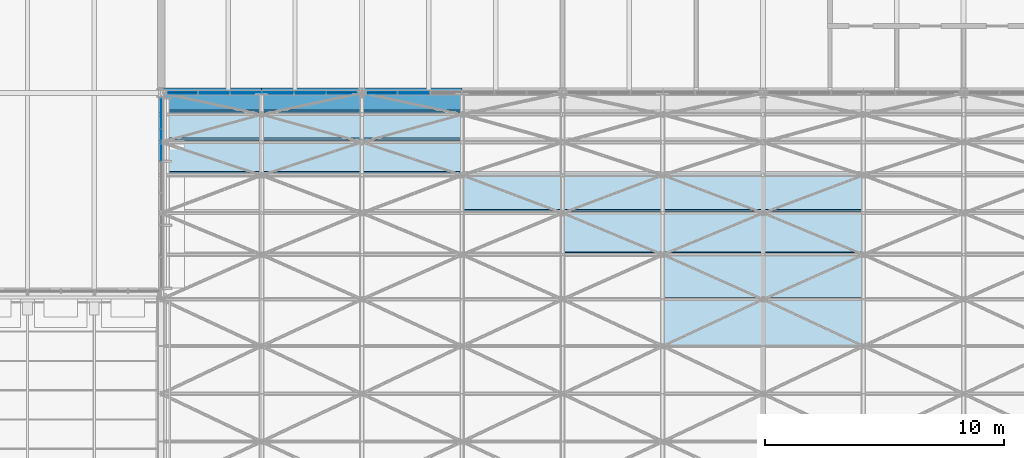
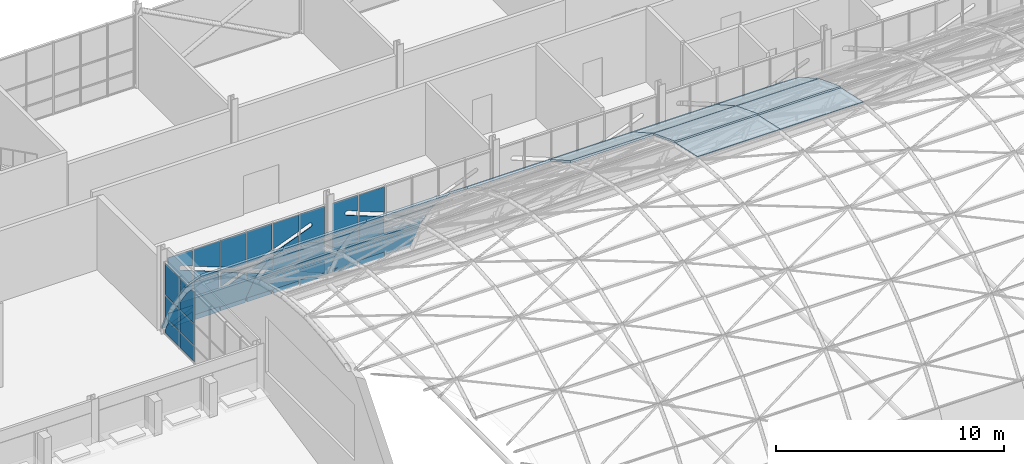
# One storey, part 73 of 121: 59 plates, 3 elements without a shape of their own.
"""IFC4 building model written with IfcOpenShell, lengths in metres."""

from ifc_helpers import new_model, si_unit, direction, frame, origin, place, context, subcontext, project, spatial, polyline, outline, extrude, material, layer, layer_set, type_object, element, aggregate, save


model = new_model("IFC4")

# Units and contexts
model_context = context("Model", 3, precision=1e-05, world=origin(), true_north=direction((0.0, 1.0)))
body_context = subcontext(model_context, "Body", "Model", "MODEL_VIEW")
ifc_project = project(units=[si_unit("LENGTHUNIT", "METRE"), si_unit("AREAUNIT", "SQUARE_METRE"), si_unit("VOLUMEUNIT", "CUBIC_METRE"), si_unit("PLANEANGLEUNIT", "RADIAN"), si_unit("MASSUNIT", "GRAM", prefix="KILO")], contexts=[model_context])

# Site, building, storey
site_placement = place(None, origin())
site = spatial("IfcSite", under=ifc_project, at=site_placement, CompositionType="ELEMENT")
building_placement = place(site_placement, origin())
building = spatial("IfcBuilding", under=site, at=building_placement, Name="Ardhachandra Cancer Care Centre", CompositionType="ELEMENT")
storey_placement = place(building_placement, frame((0.0, 0.0, 9.0)))
storey = spatial("IfcBuildingStorey", under=building, at=storey_placement, Name="L02", CompositionType="ELEMENT", Elevation=9.0)

# Curtain wall, plates
ifc_material_1 = material(Name="Aluminium extrusion", Category="aluminium")
ifc_layer_1 = layer(ifc_material_1, 0.14990234375)
ifc_layer_set_1 = layer_set([ifc_layer_1], Name="Aluminium extrusion")
curtain_wall_type = type_object("IfcCurtainWallType", Name="Curtain wall run", PredefinedType="NOTDEFINED", material=ifc_layer_set_1)
curtain_wall_1_placement = place(storey_placement, origin())
curtain_wall_1 = element("IfcCurtainWall", 1, at=curtain_wall_1_placement, inside=storey, type_object=curtain_wall_type, Name="Curtain wall L02 e/0044400_0071400", PredefinedType="NOTDEFINED")
ifc_material_2 = material(Name="Low-iron double-glazed unit")
ifc_layer_2 = layer(ifc_material_2, 0.028076171875)
ifc_layer_set_2 = layer_set([ifc_layer_2], Name="Low-iron double-glazed unit")
plate_type_1 = type_object("IfcPlateType", Name="Curtain wall glazing 28", PredefinedType="CURTAIN_PANEL", material=ifc_layer_set_2)
plate_1_placement = place(storey_placement, frame((44.39990234375, 76.96875, 0.06005859375), z_axis=(-1.0, 0.0, 0.0), x_axis=(0.0, 0.0, 1.0)))
plate_1 = element("IfcPlate", 2, at=plate_1_placement, type_object=plate_type_1, Name="CW panel 5.1", PredefinedType="CURTAIN_PANEL", context=body_context, shape_type="SweptSolid", body=[
    extrude(outline(polyline([(0.0, 0.0), (0.81005859375, 0.0), (0.81005859375, 1.278564453125), (0.0, 1.278564453125), (0.0, 0.0)])), origin(), (0.0, 0.0, 1.0), 0.028076171875),
])
plate_2_placement = place(storey_placement, frame((44.39990234375, 76.96875, 0.929931640625), z_axis=(-1.0, 0.0, 0.0), x_axis=(0.0, 0.0, 1.0)))
plate_2 = element("IfcPlate", 3, at=plate_2_placement, type_object=plate_type_1, Name="CW panel 5.2", PredefinedType="CURTAIN_PANEL", context=body_context, shape_type="SweptSolid", body=[
    extrude(outline(polyline([(0.0, 0.0), (1.14013671875, 0.0), (1.14013671875, 1.278564453125), (0.0, 1.278564453125), (0.0, 0.0)])), origin(), (0.0, 0.0, 1.0), 0.028076171875),
])
plate_3_placement = place(storey_placement, frame((44.39990234375, 78.247314453125, 2.1298828125), z_axis=(-1.0, 0.0, 0.0), x_axis=(0.0, -1.0, 0.0)))
plate_3 = element("IfcPlate", 4, at=plate_3_placement, type_object=plate_type_1, Name="CW panel 5.3", PredefinedType="CURTAIN_PANEL", context=body_context, shape_type="SweptSolid", body=[
    extrude(outline(polyline([(0.0, 0.0), (1.278564453125, 0.0), (1.278564453125, 1.66015625), (1.018798828125, 1.66015625), (0.60009765625, 1.221435546875), (0.10205078125, 0.517822265625), (0.085205078125, 0.501953125), (0.055419921875, 0.485107421875), (0.033203125, 0.47900390625), (0.0, 0.478271484375), (0.0, 0.0)])), origin(), (0.0, 0.0, 1.0), 0.028076171875),
])
plate_4_placement = place(storey_placement, frame((44.39990234375, 78.247314453125, 3.7900390625), z_axis=(-1.0, 0.0, 0.0), x_axis=(0.0, 0.0, -1.0)))
plate_4 = element("IfcPlate", 5, at=plate_4_placement, type_object=plate_type_1, Name="CW panel 5.3", PredefinedType="CURTAIN_PANEL", context=body_context, shape_type="SweptSolid", body=[
    extrude(outline(polyline([(0.0, 0.0), (0.881591796875, 0.0), (0.291748046875, 0.4169921875), (0.0, 0.69482421875), (0.0, 0.0)])), frame((0.0, 0.0, -0.028076171875)), (0.0, 0.0, 1.0), 0.028076171875),
])
plate_5_placement = place(storey_placement, frame((44.39990234375, 79.555908203125, 0.06005859375), z_axis=(-1.0, 0.0, 0.0), x_axis=(0.0, -1.0, 0.0)))
plate_5 = element("IfcPlate", 6, at=plate_5_placement, type_object=plate_type_1, Name="CW panel 6.1", PredefinedType="CURTAIN_PANEL", context=body_context, shape_type="SweptSolid", body=[
    extrude(outline(polyline([(0.0, 0.0), (1.24853515625, 0.0), (1.24853515625, 0.81005859375), (0.19873046875, 0.81005859375), (0.216064453125, 0.798828125), (0.232666015625, 0.782958984375), (0.2509765625, 0.75390625), (0.260009765625, 0.720703125), (0.260498046875, 0.69775390625), (0.256591796875, 0.675048828125), (0.248291015625, 0.65380859375), (0.0, 0.162841796875), (0.0, 0.0)])), origin(), (0.0, 0.0, 1.0), 0.028076171875),
])
plate_6_placement = place(storey_placement, frame((44.39990234375, 78.307373046875, 0.929931640625), z_axis=(-1.0, 0.0, 0.0), x_axis=(0.0, 0.0, 1.0)))
plate_6 = element("IfcPlate", 7, at=plate_6_placement, type_object=plate_type_1, Name="CW panel 6.2", PredefinedType="CURTAIN_PANEL", context=body_context, shape_type="SweptSolid", body=[
    extrude(outline(polyline([(0.0, 0.0), (1.14013671875, 0.0), (1.14013671875, 1.24853515625), (0.0, 1.24853515625), (0.0, 0.0)])), origin(), (0.0, 0.0, 1.0), 0.028076171875),
])
plate_7_placement = place(storey_placement, frame((44.39990234375, 78.307373046875, 3.7900390625), z_axis=(-1.0, 0.0, 0.0), x_axis=(0.0, 1.0, 0.0)))
plate_7 = element("IfcPlate", 8, at=plate_7_placement, type_object=plate_type_1, Name="CW panel 6.3", PredefinedType="CURTAIN_PANEL", context=body_context, shape_type="SweptSolid", body=[
    extrude(outline(polyline([(0.0, 0.0), (1.24853515625, 0.0), (1.24853515625, 1.66015625), (0.0, 1.66015625), (0.0, 1.15673828125), (0.01904296875, 1.137451171875), (0.03125, 1.1181640625), (0.03955078125, 1.0966796875), (0.043701171875, 1.0625), (0.040771484375, 1.039794921875), (0.033447265625, 1.01806640625), (0.0, 0.966552734375), (0.0, 0.0)])), origin(), (0.0, 0.0, 1.0), 0.028076171875),
])
aggregate(curtain_wall_1, [plate_1, plate_2, plate_3, plate_4, plate_5, plate_6, plate_7])

curtain_wall_2_placement = place(storey_placement, origin())
curtain_wall_2 = element("IfcCurtainWall", 9, at=curtain_wall_2_placement, inside=storey, type_object=curtain_wall_type, Name="Curtain wall L02 s/0044400_0079800", PredefinedType="NOTDEFINED")
plate_8_placement = place(storey_placement, frame((45.907958984375, 79.800048828125, 0.06005859375), z_axis=(0.0, 1.0, 0.0), x_axis=(-1.0, 0.0, 0.0)))
plate_8 = element("IfcPlate", 10, at=plate_8_placement, type_object=plate_type_1, Name="CW panel 1.1", PredefinedType="CURTAIN_PANEL", context=body_context, shape_type="SweptSolid", body=[
    extrude(outline(polyline([(0.0, 0.0), (1.068115234375, 0.0), (0.0, 0.454833984375), (0.0, 0.0)])), origin(), (0.0, 0.0, 1.0), 0.028076171875),
])
plate_9_placement = place(storey_placement, frame((44.655517578125, 79.800048828125, 0.8701171875), z_axis=(0.0, 1.0, 0.0), x_axis=(1.0, 0.0, 0.0)))
plate_9 = element("IfcPlate", 11, at=plate_9_placement, type_object=plate_type_1, Name="CW panel 1.1", PredefinedType="CURTAIN_PANEL", context=body_context, shape_type="SweptSolid", body=[
    extrude(outline(polyline([(0.0, 0.0), (1.25244140625, 0.0), (1.25244140625, 0.1005859375), (0.0, 0.634033203125), (0.0, 0.0)])), frame((0.0, 0.0, -0.028076171875)), (0.0, 0.0, 1.0), 0.028076171875),
])
plate_10_placement = place(storey_placement, frame((44.655517578125, 79.800048828125, 0.929931640625), z_axis=(0.0, 1.0, 0.0), x_axis=(0.0, 0.0, 1.0)))
plate_10 = element("IfcPlate", 12, at=plate_10_placement, type_object=plate_type_1, Name="CW panel 1.2", PredefinedType="CURTAIN_PANEL", context=body_context, shape_type="SweptSolid", body=[
    extrude(outline(polyline([(0.0, 0.0), (1.14013671875, 0.0), (1.14013671875, 1.25244140625), (0.0, 1.25244140625), (0.0, 0.0)])), origin(), (0.0, 0.0, 1.0), 0.028076171875),
])
plate_11_placement = place(storey_placement, frame((45.907958984375, 79.800048828125, 2.1298828125), z_axis=(0.0, 1.0, 0.0), x_axis=(-1.0, 0.0, 0.0)))
plate_11 = element("IfcPlate", 13, at=plate_11_placement, type_object=plate_type_1, Name="CW panel 1.3", PredefinedType="CURTAIN_PANEL", context=body_context, shape_type="SweptSolid", body=[
    extrude(outline(polyline([(0.0, 0.0), (1.25244140625, 0.0), (1.25244140625, 1.696044921875), (0.0, 1.696044921875), (0.0, 0.833984375), (0.514404296875, 1.03466796875), (0.53662109375, 1.040771484375), (0.559326171875, 1.04248046875), (0.582275390625, 1.039794921875), (0.6142578125, 1.027587890625), (0.633056640625, 1.014404296875), (0.65576171875, 0.988525390625), (0.666015625, 0.968017578125), (0.67236328125, 0.94580078125), (0.674072265625, 0.923095703125), (0.668212890625, 0.88916015625), (0.6591796875, 0.8681640625), (0.637939453125, 0.8408203125), (0.610107421875, 0.821044921875), (0.0, 0.58251953125), (0.0, 0.0)])), origin(), (0.0, 0.0, 1.0), 0.028076171875),
])
plate_12_placement = place(storey_placement, frame((47.250244140625, 79.800048828125, 0.8701171875), z_axis=(0.0, 1.0, 0.0), x_axis=(0.0, 0.0, -1.0)))
plate_12 = element("IfcPlate", 14, at=plate_12_placement, type_object=plate_type_1, Name="CW panel 2.1", PredefinedType="CURTAIN_PANEL", context=body_context, shape_type="SweptSolid", body=[
    extrude(outline(polyline([(0.0, 0.0), (0.81005859375, 0.0), (0.81005859375, 1.2822265625), (0.32958984375, 1.2822265625), (0.0, 0.5087890625), (0.0, 0.0)])), frame((0.0, 0.0, -0.028076171875)), (0.0, 0.0, 1.0), 0.028076171875),
])
plate_13_placement = place(storey_placement, frame((45.968017578125, 79.800048828125, 0.929931640625), z_axis=(0.0, 1.0, 0.0), x_axis=(0.0, 0.0, 1.0)))
plate_13 = element("IfcPlate", 15, at=plate_13_placement, type_object=plate_type_1, Name="CW panel 2.2", PredefinedType="CURTAIN_PANEL", context=body_context, shape_type="SweptSolid", body=[
    extrude(outline(polyline([(0.0, 0.0), (1.14013671875, 0.0), (1.14013671875, 1.2822265625), (0.411376953125, 1.2822265625), (0.0, 0.31640625), (0.0, 0.0)])), origin(), (0.0, 0.0, 1.0), 0.028076171875),
])
plate_14_placement = place(storey_placement, frame((47.250244140625, 79.800048828125, 2.1298828125), z_axis=(0.0, 1.0, 0.0), x_axis=(-1.0, 0.0, 0.0)))
plate_14 = element("IfcPlate", 16, at=plate_14_placement, type_object=plate_type_1, Name="CW panel 2.3", PredefinedType="CURTAIN_PANEL", context=body_context, shape_type="SweptSolid", body=[
    extrude(outline(polyline([(0.0, 0.0), (1.2822265625, 0.0), (1.2822265625, 0.559326171875), (0.0, 0.059326171875), (0.0, 0.0)])), origin(), (0.0, 0.0, 1.0), 0.028076171875),
])
plate_15_placement = place(storey_placement, frame((45.968017578125, 79.800048828125, 3.825927734375), z_axis=(0.0, 1.0, 0.0), x_axis=(1.0, 0.0, 0.0)))
plate_15 = element("IfcPlate", 17, at=plate_15_placement, type_object=plate_type_1, Name="CW panel 2.3", PredefinedType="CURTAIN_PANEL", context=body_context, shape_type="SweptSolid", body=[
    extrude(outline(polyline([(0.0, 0.0), (1.2822265625, 0.0), (1.2822265625, 1.38525390625), (0.0, 0.88525390625), (0.0, 0.0)])), frame((0.0, 0.0, -0.028076171875)), (0.0, 0.0, 1.0), 0.028076171875),
])
plate_16_placement = place(storey_placement, frame((47.310302734375, 79.800048828125, 0.06005859375), z_axis=(0.0, 1.0, 0.0), x_axis=(0.0, 0.0, 1.0)))
plate_16 = element("IfcPlate", 18, at=plate_16_placement, type_object=plate_type_1, Name="CW panel 3.1", PredefinedType="CURTAIN_PANEL", context=body_context, shape_type="SweptSolid", body=[
    extrude(outline(polyline([(0.0, 0.0), (0.81005859375, 0.0), (0.81005859375, 1.282470703125), (0.0, 1.282470703125), (0.0, 0.0)])), origin(), (0.0, 0.0, 1.0), 0.028076171875),
])
plate_17_placement = place(storey_placement, frame((48.5927734375, 79.800048828125, 0.929931640625), z_axis=(0.0, 1.0, 0.0), x_axis=(-1.0, 0.0, 0.0)))
plate_17 = element("IfcPlate", 19, at=plate_17_placement, type_object=plate_type_1, Name="CW panel 3.2", PredefinedType="CURTAIN_PANEL", context=body_context, shape_type="SweptSolid", body=[
    extrude(outline(polyline([(0.0, 0.0), (1.282470703125, 0.0), (1.282470703125, 0.182373046875), (0.0, 0.728515625), (0.0, 0.0)])), origin(), (0.0, 0.0, 1.0), 0.028076171875),
])
plate_18_placement = place(storey_placement, frame((47.310302734375, 79.800048828125, 2.070068359375), z_axis=(0.0, 1.0, 0.0), x_axis=(1.0, 0.0, 0.0)))
plate_18 = element("IfcPlate", 20, at=plate_18_placement, type_object=plate_type_1, Name="CW panel 3.2", PredefinedType="CURTAIN_PANEL", context=body_context, shape_type="SweptSolid", body=[
    extrude(outline(polyline([(0.0, 0.0), (0.24609375, 0.0), (0.9794921875, 0.285888671875), (0.0, 0.703125), (0.0, 0.0)])), frame((0.0, 0.0, -0.028076171875)), (0.0, 0.0, 1.0), 0.028076171875),
])
plate_19_placement = place(storey_placement, frame((47.310302734375, 79.800048828125, 3.825927734375), z_axis=(0.0, 1.0, 0.0), x_axis=(1.0, 0.0, 0.0)))
plate_19 = element("IfcPlate", 21, at=plate_19_placement, type_object=plate_type_1, Name="CW panel 3.3", PredefinedType="CURTAIN_PANEL", context=body_context, shape_type="SweptSolid", body=[
    extrude(outline(polyline([(0.0, 0.0), (1.282470703125, 0.0), (1.282470703125, 1.696044921875), (0.7373046875, 1.696044921875), (0.0, 1.40869140625), (0.0, 0.0)])), origin(), (0.0, 0.0, 1.0), 0.028076171875),
])
plate_20_placement = place(storey_placement, frame((48.65283203125, 79.800048828125, 0.06005859375), z_axis=(0.0, 1.0, 0.0), x_axis=(0.0, 0.0, 1.0)))
plate_20 = element("IfcPlate", 22, at=plate_20_placement, type_object=plate_type_1, Name="CW panel 4.1", PredefinedType="CURTAIN_PANEL", context=body_context, shape_type="SweptSolid", body=[
    extrude(outline(polyline([(0.0, 0.0), (0.81005859375, 0.0), (0.81005859375, 1.2822265625), (0.0, 1.2822265625), (0.0, 0.0)])), origin(), (0.0, 0.0, 1.0), 0.028076171875),
])
plate_21_placement = place(storey_placement, frame((49.93505859375, 79.800048828125, 0.929931640625), z_axis=(0.0, 1.0, 0.0), x_axis=(-1.0, 0.0, 0.0)))
plate_21 = element("IfcPlate", 23, at=plate_21_placement, type_object=plate_type_1, Name="CW panel 4.2", PredefinedType="CURTAIN_PANEL", context=body_context, shape_type="SweptSolid", body=[
    extrude(outline(polyline([(0.0, 0.0), (1.2822265625, 0.0), (1.2822265625, 0.709228515625), (0.0, 0.1630859375), (0.0, 0.0)])), origin(), (0.0, 0.0, 1.0), 0.028076171875),
])
plate_22_placement = place(storey_placement, frame((49.93505859375, 79.800048828125, 2.070068359375), z_axis=(0.0, 1.0, 0.0), x_axis=(0.0, 0.0, -1.0)))
plate_22 = element("IfcPlate", 24, at=plate_22_placement, type_object=plate_type_1, Name="CW panel 4.2", PredefinedType="CURTAIN_PANEL", context=body_context, shape_type="SweptSolid", body=[
    extrude(outline(polyline([(0.0, 0.0), (0.722412109375, 0.0), (0.285888671875, 1.02490234375), (0.0, 0.291259765625), (0.0, 0.0)])), frame((0.0, 0.0, -0.028076171875)), (0.0, 0.0, 1.0), 0.028076171875),
])
plate_23_placement = place(storey_placement, frame((48.65283203125, 79.800048828125, 2.1298828125), z_axis=(0.0, 1.0, 0.0), x_axis=(0.0, 0.0, 1.0)))
plate_23 = element("IfcPlate", 25, at=plate_23_placement, type_object=plate_type_1, Name="CW panel 4.3", PredefinedType="CURTAIN_PANEL", context=body_context, shape_type="SweptSolid", body=[
    extrude(outline(polyline([(0.0, 0.0), (1.696044921875, 0.0), (1.696044921875, 1.2822265625), (0.30517578125, 1.2822265625), (0.0, 0.499755859375), (0.0, 0.0)])), origin(), (0.0, 0.0, 1.0), 0.028076171875),
])
plate_24_placement = place(storey_placement, frame((51.277587890625, 79.800048828125, 0.06005859375), z_axis=(0.0, 1.0, 0.0), x_axis=(-1.0, 0.0, 0.0)))
plate_24 = element("IfcPlate", 26, at=plate_24_placement, type_object=plate_type_1, Name="CW panel 5.1", PredefinedType="CURTAIN_PANEL", context=body_context, shape_type="SweptSolid", body=[
    extrude(outline(polyline([(0.0, 0.0), (1.282470703125, 0.0), (1.282470703125, 0.81005859375), (0.819091796875, 0.81005859375), (0.0, 0.4609375), (0.0, 0.0)])), origin(), (0.0, 0.0, 1.0), 0.028076171875),
])
plate_25_placement = place(storey_placement, frame((49.9951171875, 79.800048828125, 2.070068359375), z_axis=(0.0, 1.0, 0.0), x_axis=(1.0, 0.0, 0.0)))
plate_25 = element("IfcPlate", 27, at=plate_25_placement, type_object=plate_type_1, Name="CW panel 5.2", PredefinedType="CURTAIN_PANEL", context=body_context, shape_type="SweptSolid", body=[
    extrude(outline(polyline([(0.0, 0.0), (1.282470703125, 0.0), (1.282470703125, 1.14013671875), (0.92041015625, 1.14013671875), (0.0, 0.748046875), (0.0, 0.0)])), origin(), (0.0, 0.0, 1.0), 0.028076171875),
])
plate_26_placement = place(storey_placement, frame((51.277587890625, 79.800048828125, 2.1298828125), z_axis=(0.0, 1.0, 0.0), x_axis=(-1.0, 0.0, 0.0)))
plate_26 = element("IfcPlate", 28, at=plate_26_placement, type_object=plate_type_1, Name="CW panel 5.3", PredefinedType="CURTAIN_PANEL", context=body_context, shape_type="SweptSolid", body=[
    extrude(outline(polyline([(0.0, 0.0), (1.282470703125, 0.0), (1.282470703125, 0.0771484375), (0.0, 0.576904296875), (0.0, 0.0)])), origin(), (0.0, 0.0, 1.0), 0.028076171875),
])
plate_27_placement = place(storey_placement, frame((49.9951171875, 79.800048828125, 3.825927734375), z_axis=(0.0, 1.0, 0.0), x_axis=(1.0, 0.0, 0.0)))
plate_27 = element("IfcPlate", 29, at=plate_27_placement, type_object=plate_type_1, Name="CW panel 5.3", PredefinedType="CURTAIN_PANEL", context=body_context, shape_type="SweptSolid", body=[
    extrude(outline(polyline([(0.0, 0.0), (1.282470703125, 0.0), (1.282470703125, 0.86767578125), (0.0, 1.367431640625), (0.0, 0.0)])), frame((0.0, 0.0, -0.028076171875)), (0.0, 0.0, 1.0), 0.028076171875),
])
plate_28_placement = place(storey_placement, frame((51.337646484375, 79.800048828125, 0.8701171875), z_axis=(0.0, 1.0, 0.0), x_axis=(1.0, 0.0, 0.0)))
plate_28 = element("IfcPlate", 30, at=plate_28_placement, type_object=plate_type_1, Name="CW panel 6.1", PredefinedType="CURTAIN_PANEL", context=body_context, shape_type="SweptSolid", body=[
    extrude(outline(polyline([(0.0, 0.0), (1.25244140625, 0.0), (1.25244140625, 0.6533203125), (0.0, 0.119873046875), (0.0, 0.0)])), origin(), (0.0, 0.0, 1.0), 0.028076171875),
])
plate_29_placement = place(storey_placement, frame((51.337646484375, 79.800048828125, 0.06005859375), z_axis=(0.0, 1.0, 0.0), x_axis=(0.0, 0.0, 1.0)))
plate_29 = element("IfcPlate", 31, at=plate_29_placement, type_object=plate_type_1, Name="CW panel 6.1", PredefinedType="CURTAIN_PANEL", context=body_context, shape_type="SweptSolid", body=[
    extrude(outline(polyline([(0.0, 0.0), (0.435546875, 0.0), (0.0, 1.0224609375), (0.0, 0.0)])), frame((0.0, 0.0, -0.028076171875)), (0.0, 0.0, 1.0), 0.028076171875),
])
plate_30_placement = place(storey_placement, frame((51.337646484375, 79.800048828125, 0.929931640625), z_axis=(0.0, 1.0, 0.0), x_axis=(0.0, 0.0, 1.0)))
plate_30 = element("IfcPlate", 32, at=plate_30_placement, type_object=plate_type_1, Name="CW panel 6.2", PredefinedType="CURTAIN_PANEL", context=body_context, shape_type="SweptSolid", body=[
    extrude(outline(polyline([(0.0, 0.0), (1.14013671875, 0.0), (1.14013671875, 1.25244140625), (0.0, 1.25244140625), (0.0, 0.0)])), origin(), (0.0, 0.0, 1.0), 0.028076171875),
])
plate_31_placement = place(storey_placement, frame((51.337646484375, 79.800048828125, 3.825927734375), z_axis=(0.0, 1.0, 0.0), x_axis=(1.0, 0.0, 0.0)))
plate_31 = element("IfcPlate", 33, at=plate_31_placement, type_object=plate_type_1, Name="CW panel 6.3", PredefinedType="CURTAIN_PANEL", context=body_context, shape_type="SweptSolid", body=[
    extrude(outline(polyline([(0.0, 0.0), (1.25244140625, 0.0), (1.25244140625, 1.696044921875), (0.0, 1.696044921875), (0.0, 1.095703125), (0.564453125, 0.875), (0.583740234375, 0.86279296875), (0.607421875, 0.837646484375), (0.622802734375, 0.806884765625), (0.62841796875, 0.77294921875), (0.626708984375, 0.750244140625), (0.62060546875, 0.72802734375), (0.610107421875, 0.70751953125), (0.595947265625, 0.689453125), (0.56884765625, 0.66845703125), (0.547607421875, 0.6591796875), (0.525390625, 0.654296875), (0.50244140625, 0.65380859375), (0.46875, 0.661376953125), (0.0, 0.84423828125), (0.0, 0.0)])), origin(), (0.0, 0.0, 1.0), 0.028076171875),
])
aggregate(curtain_wall_2, [plate_8, plate_9, plate_10, plate_11, plate_12, plate_13, plate_14, plate_15, plate_16, plate_17, plate_18, plate_19, plate_20, plate_21, plate_22, plate_23, plate_24, plate_25, plate_26, plate_27, plate_28, plate_29, plate_30, plate_31])

curtain_wall_3_placement = place(storey_placement, origin())
curtain_wall_3 = element("IfcCurtainWall", 34, at=curtain_wall_3_placement, inside=storey, type_object=curtain_wall_type, Name="Curtain wall L02 s/0052800_0079800", PredefinedType="NOTDEFINED")
plate_32_placement = place(storey_placement, frame((54.27001953125, 79.800048828125, 0.06005859375), z_axis=(0.0, 1.0, 0.0), x_axis=(-1.0, 0.0, 0.0)))
plate_32 = element("IfcPlate", 35, at=plate_32_placement, type_object=plate_type_1, Name="CW panel 1.1", PredefinedType="CURTAIN_PANEL", context=body_context, shape_type="SweptSolid", body=[
    extrude(outline(polyline([(0.0, 0.0), (1.0302734375, 0.0), (0.0, 0.438720703125), (0.0, 0.0)])), origin(), (0.0, 0.0, 1.0), 0.028076171875),
])
plate_33_placement = place(storey_placement, frame((53.010009765625, 79.800048828125, 0.8701171875), z_axis=(0.0, 1.0, 0.0), x_axis=(1.0, 0.0, 0.0)))
plate_33 = element("IfcPlate", 36, at=plate_33_placement, type_object=plate_type_1, Name="CW panel 1.1", PredefinedType="CURTAIN_PANEL", context=body_context, shape_type="SweptSolid", body=[
    extrude(outline(polyline([(0.0, 0.0), (1.260009765625, 0.0), (1.260009765625, 0.11669921875), (0.0, 0.6533203125), (0.0, 0.0)])), frame((0.0, 0.0, -0.028076171875)), (0.0, 0.0, 1.0), 0.028076171875),
])
plate_34_placement = place(storey_placement, frame((53.010009765625, 79.800048828125, 0.929931640625), z_axis=(0.0, 1.0, 0.0), x_axis=(0.0, 0.0, 1.0)))
plate_34 = element("IfcPlate", 37, at=plate_34_placement, type_object=plate_type_1, Name="CW panel 1.2", PredefinedType="CURTAIN_PANEL", context=body_context, shape_type="SweptSolid", body=[
    extrude(outline(polyline([(0.0, 0.0), (1.14013671875, 0.0), (1.14013671875, 1.260009765625), (0.0, 1.260009765625), (0.0, 0.0)])), origin(), (0.0, 0.0, 1.0), 0.028076171875),
])
plate_35_placement = place(storey_placement, frame((54.27001953125, 79.800048828125, 2.1298828125), z_axis=(0.0, 1.0, 0.0), x_axis=(-1.0, 0.0, 0.0)))
plate_35 = element("IfcPlate", 38, at=plate_35_placement, type_object=plate_type_1, Name="CW panel 1.3", PredefinedType="CURTAIN_PANEL", context=body_context, shape_type="SweptSolid", body=[
    extrude(outline(polyline([(0.0, 0.0), (1.260009765625, 0.0), (1.260009765625, 1.696044921875), (0.0, 1.696044921875), (0.0, 0.848876953125), (0.4765625, 1.03466796875), (0.510009765625, 1.042236328125), (0.532958984375, 1.041748046875), (0.555419921875, 1.036865234375), (0.576416015625, 1.027587890625), (0.603515625, 1.006591796875), (0.61767578125, 0.988525390625), (0.628173828125, 0.968017578125), (0.63427734375, 0.94580078125), (0.63623046875, 0.923095703125), (0.63037109375, 0.88916015625), (0.62109375, 0.8681640625), (0.60009765625, 0.8408203125), (0.572021484375, 0.821044921875), (0.0, 0.597412109375), (0.0, 0.0)])), origin(), (0.0, 0.0, 1.0), 0.028076171875),
])
plate_36_placement = place(storey_placement, frame((55.6201171875, 79.800048828125, 0.8701171875), z_axis=(0.0, 1.0, 0.0), x_axis=(0.0, 0.0, -1.0)))
plate_36 = element("IfcPlate", 39, at=plate_36_placement, type_object=plate_type_1, Name="CW panel 2.1", PredefinedType="CURTAIN_PANEL", context=body_context, shape_type="SweptSolid", body=[
    extrude(outline(polyline([(0.0, 0.0), (0.81005859375, 0.0), (0.81005859375, 1.2900390625), (0.345703125, 1.2900390625), (0.0, 0.478515625), (0.0, 0.0)])), frame((0.0, 0.0, -0.028076171875)), (0.0, 0.0, 1.0), 0.028076171875),
])
plate_37_placement = place(storey_placement, frame((54.330078125, 79.800048828125, 0.929931640625), z_axis=(0.0, 1.0, 0.0), x_axis=(0.0, 0.0, 1.0)))
plate_37 = element("IfcPlate", 40, at=plate_37_placement, type_object=plate_type_1, Name="CW panel 2.2", PredefinedType="CURTAIN_PANEL", context=body_context, shape_type="SweptSolid", body=[
    extrude(outline(polyline([(0.0, 0.0), (1.14013671875, 0.0), (1.14013671875, 1.2900390625), (0.3984375, 1.2900390625), (0.0, 0.3544921875), (0.0, 0.0)])), origin(), (0.0, 0.0, 1.0), 0.028076171875),
])
plate_38_placement = place(storey_placement, frame((55.6201171875, 79.800048828125, 2.1298828125), z_axis=(0.0, 1.0, 0.0), x_axis=(-1.0, 0.0, 0.0)))
plate_38 = element("IfcPlate", 41, at=plate_38_placement, type_object=plate_type_1, Name="CW panel 2.3", PredefinedType="CURTAIN_PANEL", context=body_context, shape_type="SweptSolid", body=[
    extrude(outline(polyline([(0.0, 0.0), (1.2900390625, 0.0), (1.2900390625, 0.573974609375), (0.0, 0.0712890625), (0.0, 0.0)])), origin(), (0.0, 0.0, 1.0), 0.028076171875),
])
plate_39_placement = place(storey_placement, frame((54.330078125, 79.800048828125, 3.825927734375), z_axis=(0.0, 1.0, 0.0), x_axis=(1.0, 0.0, 0.0)))
plate_39 = element("IfcPlate", 42, at=plate_39_placement, type_object=plate_type_1, Name="CW panel 2.3", PredefinedType="CURTAIN_PANEL", context=body_context, shape_type="SweptSolid", body=[
    extrude(outline(polyline([(0.0, 0.0), (1.2900390625, 0.0), (1.2900390625, 1.373291015625), (0.0, 0.87060546875), (0.0, 0.0)])), frame((0.0, 0.0, -0.028076171875)), (0.0, 0.0, 1.0), 0.028076171875),
])
aggregate(curtain_wall_3, [plate_32, plate_33, plate_34, plate_35, plate_36, plate_37, plate_38, plate_39])

# Plates
ifc_material_3 = material(Name="Laminated heat-strengthened double-glazed unit")
ifc_layer_3 = layer(ifc_material_3, 0.035888671875)
ifc_layer_set_3 = layer_set([ifc_layer_3], Name="Laminated heat-strengthened double-glazed unit")
plate_type_2 = type_object("IfcPlateType", Name="Gridshell glazing 36", PredefinedType="SHEET", material=ifc_layer_set_3)
plate_40_placement = place(storey_placement, frame((65.39990234375, 69.22607421875, 8.3720703125), z_axis=(0.0, 0.218709457766, 0.9757900251), x_axis=(1.0, 0.0, 0.0)))
element("IfcPlate", 43, at=plate_40_placement, inside=storey, type_object=plate_type_2, Name="Glazed cell H 6.10", PredefinedType="SHEET", context=body_context, shape_type="SweptSolid", body=[
    extrude(outline(polyline([(0.0, 0.0), (4.2001953125, 0.0), (4.2001953125, 2.0048828125), (0.0, 2.0048828125), (0.0, 0.0)])), origin(), (0.0, 0.0, 1.0), 0.035888671875),
])
plate_41_placement = place(storey_placement, frame((69.60009765625, 69.22607421875, 8.3720703125), z_axis=(0.0, 0.218709457766, 0.9757900251), x_axis=(1.0, 0.0, 0.0)))
element("IfcPlate", 44, at=plate_41_placement, inside=storey, type_object=plate_type_2, Name="Glazed cell H 7.10", PredefinedType="SHEET", context=body_context, shape_type="SweptSolid", body=[
    extrude(outline(polyline([(0.0, 0.0), (4.199951171875, 0.0), (4.199951171875, 2.0048828125), (0.0, 2.0048828125), (0.0, 0.0)])), origin(), (0.0, 0.0, 1.0), 0.035888671875),
])
ifc_material_4 = material(Name="Insulated metal roof panel (galvalume skins, PIR core)")
ifc_layer_4 = layer(ifc_material_4, 0.10009765625)
ifc_layer_set_4 = layer_set([ifc_layer_4], Name="Insulated metal roof panel (galvalume skins, PIR core)")
plate_type_3 = type_object("IfcPlateType", Name="Gridshell insulated panel 100", PredefinedType="SHEET", material=ifc_layer_set_4)
plate_42_placement = place(storey_placement, frame((44.39990234375, 76.44189453125, 4.96044921875), z_axis=(0.0, 0.723236652239, 0.690600278641), x_axis=(1.0, 0.0, 0.0)))
element("IfcPlate", 45, at=plate_42_placement, inside=storey, type_object=plate_type_3, Name="Roof cell H 1.14", PredefinedType="SHEET", context=body_context, shape_type="SweptSolid", body=[
    extrude(outline(polyline([(0.0, 0.0), (4.2001953125, 0.0), (4.2001953125, 2.0048828125), (0.0, 2.0048828125), (0.0, 0.0)])), origin(), (0.0, 0.0, 1.0), 0.10009765625),
])
for number, where, z_axis, x_axis, name in (
    (46, (44.39990234375, 77.837890625, 3.49658203125), (0.0, 0.816660624076, 0.577118207202), (1.0, 0.0, 0.0), "Roof cell H 1.15"),
    (47, (44.39990234375, 79.004150390625, 1.843994140625), (0.0, 0.892298140355, 0.451446595645), (1.0, 0.0, 0.0), "Roof cell H 1.16"),
):
    element("IfcPlate", number, at=place(storey_placement, frame(where, z_axis=z_axis, x_axis=x_axis)), inside=storey, type_object=plate_type_3, Name=name, PredefinedType="SHEET", context=body_context, shape_type="SweptSolid", body=[
        extrude(outline(polyline([(0.0, 0.0), (4.2001953125, 0.0), (4.2001953125, 2.004638671875), (0.0, 2.004638671875), (0.0, 0.0)])), origin(), (0.0, 0.0, 1.0), 0.10009765625),
    ])
plate_43_placement = place(storey_placement, frame((48.60009765625, 76.44189453125, 4.96044921875), z_axis=(0.0, 0.723236652239, 0.690600278641), x_axis=(1.0, 0.0, 0.0)))
element("IfcPlate", 48, at=plate_43_placement, inside=storey, type_object=plate_type_3, Name="Roof cell H 2.14", PredefinedType="SHEET", context=body_context, shape_type="SweptSolid", body=[
    extrude(outline(polyline([(0.0, 0.0), (4.199951171875, 0.0), (4.199951171875, 2.0048828125), (0.0, 2.0048828125), (0.0, 0.0)])), origin(), (0.0, 0.0, 1.0), 0.10009765625),
])
for number, where, z_axis, x_axis, name in (
    (49, (48.60009765625, 77.837890625, 3.49658203125), (0.0, 0.816660624076, 0.577118207202), (1.0, 0.0, 0.0), "Roof cell H 2.15"),
    (50, (48.60009765625, 79.004150390625, 1.843994140625), (0.0, 0.892298140355, 0.451446595645), (1.0, 0.0, 0.0), "Roof cell H 2.16"),
):
    element("IfcPlate", number, at=place(storey_placement, frame(where, z_axis=z_axis, x_axis=x_axis)), inside=storey, type_object=plate_type_3, Name=name, PredefinedType="SHEET", context=body_context, shape_type="SweptSolid", body=[
        extrude(outline(polyline([(0.0, 0.0), (4.199951171875, 0.0), (4.199951171875, 2.004638671875), (0.0, 2.004638671875), (0.0, 0.0)])), origin(), (0.0, 0.0, 1.0), 0.10009765625),
    ])
plate_44_placement = place(storey_placement, frame((52.800048828125, 76.44189453125, 4.96044921875), z_axis=(0.0, 0.723236652239, 0.690600278641), x_axis=(1.0, 0.0, 0.0)))
element("IfcPlate", 51, at=plate_44_placement, inside=storey, type_object=plate_type_3, Name="Roof cell H 3.14", PredefinedType="SHEET", context=body_context, shape_type="SweptSolid", body=[
    extrude(outline(polyline([(0.0, 0.0), (4.199951171875, 0.0), (4.199951171875, 2.0048828125), (0.0, 2.0048828125), (0.0, 0.0)])), origin(), (0.0, 0.0, 1.0), 0.10009765625),
])
for number, where, z_axis, x_axis, name in (
    (52, (52.800048828125, 77.837890625, 3.49658203125), (0.0, 0.816660624076, 0.577118207202), (1.0, 0.0, 0.0), "Roof cell H 3.15"),
    (53, (52.800048828125, 79.004150390625, 1.843994140625), (0.0, 0.892298140355, 0.451446595645), (1.0, 0.0, 0.0), "Roof cell H 3.16"),
):
    element("IfcPlate", number, at=place(storey_placement, frame(where, z_axis=z_axis, x_axis=x_axis)), inside=storey, type_object=plate_type_3, Name=name, PredefinedType="SHEET", context=body_context, shape_type="SweptSolid", body=[
        extrude(outline(polyline([(0.0, 0.0), (4.199951171875, 0.0), (4.199951171875, 2.004638671875), (0.0, 2.004638671875), (0.0, 0.0)])), origin(), (0.0, 0.0, 1.0), 0.10009765625),
    ])
plate_45_placement = place(storey_placement, frame((57.0, 74.8466796875, 6.203857421875), z_axis=(0.0, 0.614244074324, 0.789116098656), x_axis=(1.0, 0.0, 0.0)))
element("IfcPlate", 54, at=plate_45_placement, inside=storey, type_object=plate_type_3, Name="Roof cell H 4.13", PredefinedType="SHEET", context=body_context, shape_type="SweptSolid", body=[
    extrude(outline(polyline([(0.0, 0.0), (4.199951171875, 0.0), (4.199951171875, 2.0048828125), (0.0, 2.0048828125), (0.0, 0.0)])), origin(), (0.0, 0.0, 1.0), 0.10009765625),
])
plate_46_placement = place(storey_placement, frame((61.199951171875, 73.086669921875, 7.200439453125), z_axis=(0.0, 0.492133501312, 0.870519739515), x_axis=(1.0, 0.0, 0.0)))
element("IfcPlate", 55, at=plate_46_placement, inside=storey, type_object=plate_type_3, Name="Roof cell H 5.12", PredefinedType="SHEET", context=body_context, shape_type="SweptSolid", body=[
    extrude(outline(polyline([(0.0, 0.0), (4.199951171875, 0.0), (4.199951171875, 2.004638671875), (0.0, 2.004638671875), (0.0, 0.0)])), origin(), (0.0, 0.0, 1.0), 0.10009765625),
])
plate_47_placement = place(storey_placement, frame((61.199951171875, 74.8466796875, 6.203857421875), z_axis=(0.0, 0.614244074324, 0.789116098656), x_axis=(1.0, 0.0, 0.0)))
element("IfcPlate", 56, at=plate_47_placement, inside=storey, type_object=plate_type_3, Name="Roof cell H 5.13", PredefinedType="SHEET", context=body_context, shape_type="SweptSolid", body=[
    extrude(outline(polyline([(0.0, 0.0), (4.199951171875, 0.0), (4.199951171875, 2.0048828125), (0.0, 2.0048828125), (0.0, 0.0)])), origin(), (0.0, 0.0, 1.0), 0.10009765625),
])
plate_48_placement = place(storey_placement, frame((65.39990234375, 71.199462890625, 7.928466796875), z_axis=(0.0, 0.359370750226, 0.93319486919), x_axis=(1.0, 0.0, 0.0)))
element("IfcPlate", 57, at=plate_48_placement, inside=storey, type_object=plate_type_3, Name="Roof cell H 6.11", PredefinedType="SHEET", context=body_context, shape_type="SweptSolid", body=[
    extrude(outline(polyline([(0.0, 0.0), (4.2001953125, 0.0), (4.2001953125, 2.0048828125), (0.0, 2.0048828125), (0.0, 0.0)])), origin(), (0.0, 0.0, 1.0), 0.10009765625),
])
plate_49_placement = place(storey_placement, frame((65.39990234375, 73.086669921875, 7.200439453125), z_axis=(0.0, 0.492133501312, 0.870519739515), x_axis=(1.0, 0.0, 0.0)))
element("IfcPlate", 58, at=plate_49_placement, inside=storey, type_object=plate_type_3, Name="Roof cell H 6.12", PredefinedType="SHEET", context=body_context, shape_type="SweptSolid", body=[
    extrude(outline(polyline([(0.0, 0.0), (4.2001953125, 0.0), (4.2001953125, 2.004638671875), (0.0, 2.004638671875), (0.0, 0.0)])), origin(), (0.0, 0.0, 1.0), 0.10009765625),
])
plate_50_placement = place(storey_placement, frame((65.39990234375, 74.8466796875, 6.203857421875), z_axis=(0.0, 0.614244074324, 0.789116098656), x_axis=(1.0, 0.0, 0.0)))
element("IfcPlate", 59, at=plate_50_placement, inside=storey, type_object=plate_type_3, Name="Roof cell H 6.13", PredefinedType="SHEET", context=body_context, shape_type="SweptSolid", body=[
    extrude(outline(polyline([(0.0, 0.0), (4.2001953125, 0.0), (4.2001953125, 2.0048828125), (0.0, 2.0048828125), (0.0, 0.0)])), origin(), (0.0, 0.0, 1.0), 0.10009765625),
])
plate_51_placement = place(storey_placement, frame((69.60009765625, 71.199462890625, 7.928466796875), z_axis=(0.0, 0.359370750226, 0.93319486919), x_axis=(1.0, 0.0, 0.0)))
element("IfcPlate", 60, at=plate_51_placement, inside=storey, type_object=plate_type_3, Name="Roof cell H 7.11", PredefinedType="SHEET", context=body_context, shape_type="SweptSolid", body=[
    extrude(outline(polyline([(0.0, 0.0), (4.199951171875, 0.0), (4.199951171875, 2.0048828125), (0.0, 2.0048828125), (0.0, 0.0)])), origin(), (0.0, 0.0, 1.0), 0.10009765625),
])
plate_52_placement = place(storey_placement, frame((69.60009765625, 73.086669921875, 7.200439453125), z_axis=(0.0, 0.492133501312, 0.870519739515), x_axis=(1.0, 0.0, 0.0)))
element("IfcPlate", 61, at=plate_52_placement, inside=storey, type_object=plate_type_3, Name="Roof cell H 7.12", PredefinedType="SHEET", context=body_context, shape_type="SweptSolid", body=[
    extrude(outline(polyline([(0.0, 0.0), (4.199951171875, 0.0), (4.199951171875, 2.004638671875), (0.0, 2.004638671875), (0.0, 0.0)])), origin(), (0.0, 0.0, 1.0), 0.10009765625),
])
plate_53_placement = place(storey_placement, frame((69.60009765625, 74.8466796875, 6.203857421875), z_axis=(0.0, 0.614244074324, 0.789116098656), x_axis=(1.0, 0.0, 0.0)))
element("IfcPlate", 62, at=plate_53_placement, inside=storey, type_object=plate_type_3, Name="Roof cell H 7.13", PredefinedType="SHEET", context=body_context, shape_type="SweptSolid", body=[
    extrude(outline(polyline([(0.0, 0.0), (4.199951171875, 0.0), (4.199951171875, 2.0048828125), (0.0, 2.0048828125), (0.0, 0.0)])), origin(), (0.0, 0.0, 1.0), 0.10009765625),
])

save(model, "model.ifc")
